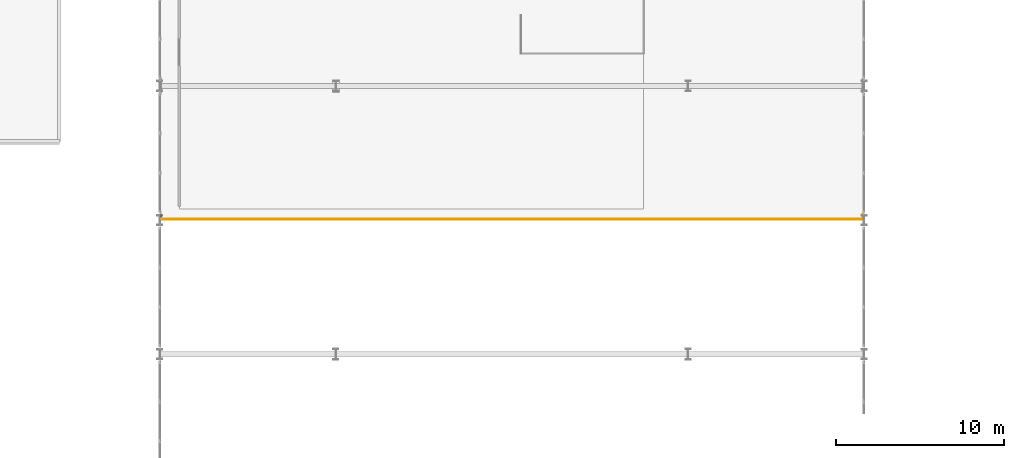
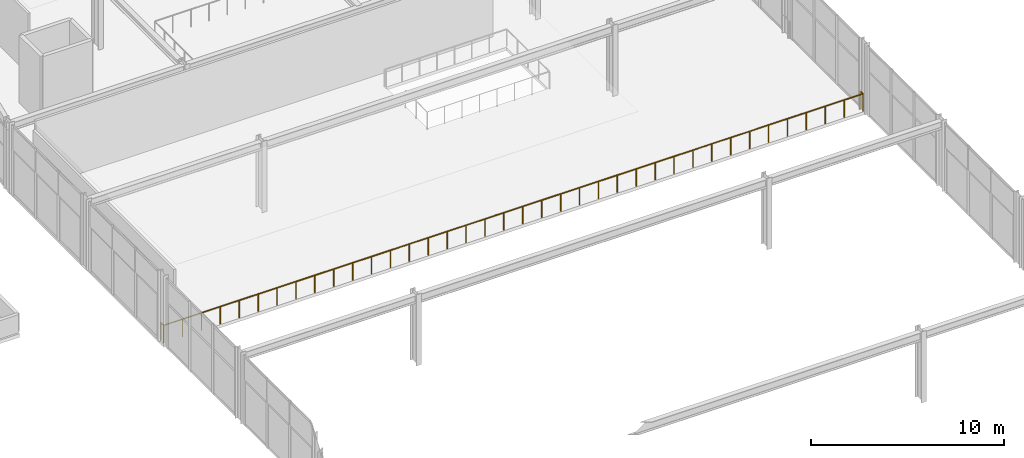
# One storey, part 92 of 105: 2 railings.
"""IFC4 building model written with IfcOpenShell, lengths in metres."""

from ifc_helpers import new_model, si_unit, direction, frame, origin, origin_2d, place, context, subcontext, project, spatial, circle, extrude, material, type_object, element, save


model = new_model("IFC4")

# Units and contexts
model_context = context("Model", 3, precision=1e-05, world=origin(), true_north=direction((0.0, 1.0)))
body_context = subcontext(model_context, "Body", "Model", "MODEL_VIEW")
ifc_project = project(units=[si_unit("LENGTHUNIT", "METRE"), si_unit("AREAUNIT", "SQUARE_METRE"), si_unit("VOLUMEUNIT", "CUBIC_METRE"), si_unit("PLANEANGLEUNIT", "RADIAN"), si_unit("MASSUNIT", "GRAM", prefix="KILO")], contexts=[model_context])

# Site, building, storey
site_placement = place(None, origin())
site = spatial("IfcSite", under=ifc_project, at=site_placement, CompositionType="ELEMENT")
building_placement = place(site_placement, origin())
building = spatial("IfcBuilding", under=site, at=building_placement, Name="Marlcrest Central Station", CompositionType="ELEMENT")
storey_placement = place(building_placement, frame((0.0, 0.0, 15.0)))
storey = spatial("IfcBuildingStorey", under=building, at=storey_placement, Name="L03", CompositionType="ELEMENT", Elevation=15.0)

# Railings
ifc_material = material(Name="Stainless steel and laminated glass concourse balustrade", Category="steel")
railing_type = type_object("IfcRailingType", Name="GR-02", PredefinedType="BALUSTRADE", material=ifc_material)
railing_1_placement = place(storey_placement, frame((87.06005859375, 94.56005859375, 0.0)))
element("IfcRailing", 1, at=railing_1_placement, inside=storey, type_object=railing_type, Name="hr-L03-00451", PredefinedType="BALUSTRADE", context=body_context, shape_type="SweptSolid", body=[
    extrude(circle(Radius=0.02392578125, at=origin_2d()), frame((0.0, 0.0, 1.09619140625), z_axis=(0.0, 1.0, 0.0), x_axis=(-1.0, 0.0, 0.0)), (0.0, 0.0, 1.0), 0.280029296875),
    extrude(circle(Radius=0.02099609375, at=origin_2d()), origin(), (0.0, 0.0, 1.0), 1.072021484375),
    extrude(circle(Radius=0.02099609375, at=origin_2d()), frame((0.0, 0.280029296875, 0.0)), (0.0, 0.0, 1.0), 1.072021484375),
])
railing_2_placement = place(storey_placement, frame((128.93994140625, 94.840087890625, 0.0)))
element("IfcRailing", 2, at=railing_2_placement, inside=storey, type_object=railing_type, Name="hr-L03-00470", PredefinedType="BALUSTRADE", context=body_context, shape_type="SweptSolid", body=[
    extrude(circle(Radius=0.02392578125, at=origin_2d()), frame((0.0, 0.0, 1.09619140625), z_axis=(0.0, -1.0, 0.0), x_axis=(1.0, 0.0, 0.0)), (0.0, 0.0, 1.0), 0.280029296875),
    extrude(circle(Radius=0.02392578125, at=origin_2d()), frame((0.0, -0.280029296875, 1.09619140625), z_axis=(-1.0, 0.0, 0.0), x_axis=(0.0, -1.0, 0.0)), (0.0, 0.0, 1.0), 41.8798828125),
    extrude(circle(Radius=0.02099609375, at=origin_2d()), origin(), (0.0, 0.0, 1.0), 1.072021484375),
    extrude(circle(Radius=0.02099609375, at=origin_2d()), frame((0.0, -0.280029296875, 0.0)), (0.0, 0.0, 1.0), 1.072021484375),
    extrude(circle(Radius=0.02099609375, at=origin_2d()), frame((-1.1318359375, -0.280029296875, 0.0)), (0.0, 0.0, 1.0), 1.072021484375),
    extrude(circle(Radius=0.02099609375, at=origin_2d()), frame((-2.263671875, -0.280029296875, 0.0)), (0.0, 0.0, 1.0), 1.072021484375),
    extrude(circle(Radius=0.02099609375, at=origin_2d()), frame((-3.395751953125, -0.280029296875, 0.0)), (0.0, 0.0, 1.0), 1.072021484375),
    extrude(circle(Radius=0.02099609375, at=origin_2d()), frame((-4.527587890625, -0.280029296875, 0.0)), (0.0, 0.0, 1.0), 1.072021484375),
    extrude(circle(Radius=0.02099609375, at=origin_2d()), frame((-5.659423828125, -0.280029296875, 0.0)), (0.0, 0.0, 1.0), 1.072021484375),
    extrude(circle(Radius=0.02099609375, at=origin_2d()), frame((-6.791259765625, -0.280029296875, 0.0)), (0.0, 0.0, 1.0), 1.072021484375),
    extrude(circle(Radius=0.02099609375, at=origin_2d()), frame((-7.92333984375, -0.280029296875, 0.0)), (0.0, 0.0, 1.0), 1.072021484375),
    extrude(circle(Radius=0.02099609375, at=origin_2d()), frame((-9.05517578125, -0.280029296875, 0.0)), (0.0, 0.0, 1.0), 1.072021484375),
    extrude(circle(Radius=0.02099609375, at=origin_2d()), frame((-10.18701171875, -0.280029296875, 0.0)), (0.0, 0.0, 1.0), 1.072021484375),
    extrude(circle(Radius=0.02099609375, at=origin_2d()), frame((-11.31884765625, -0.280029296875, 0.0)), (0.0, 0.0, 1.0), 1.072021484375),
    extrude(circle(Radius=0.02099609375, at=origin_2d()), frame((-12.45068359375, -0.280029296875, 0.0)), (0.0, 0.0, 1.0), 1.072021484375),
    extrude(circle(Radius=0.02099609375, at=origin_2d()), frame((-13.582763671875, -0.280029296875, 0.0)), (0.0, 0.0, 1.0), 1.072021484375),
    extrude(circle(Radius=0.02099609375, at=origin_2d()), frame((-14.714599609375, -0.280029296875, 0.0)), (0.0, 0.0, 1.0), 1.072021484375),
    extrude(circle(Radius=0.02099609375, at=origin_2d()), frame((-15.846435546875, -0.280029296875, 0.0)), (0.0, 0.0, 1.0), 1.072021484375),
    extrude(circle(Radius=0.02099609375, at=origin_2d()), frame((-16.978271484375, -0.280029296875, 0.0)), (0.0, 0.0, 1.0), 1.072021484375),
    extrude(circle(Radius=0.02099609375, at=origin_2d()), frame((-18.110107421875, -0.280029296875, 0.0)), (0.0, 0.0, 1.0), 1.072021484375),
    extrude(circle(Radius=0.02099609375, at=origin_2d()), frame((-19.2421875, -0.280029296875, 0.0)), (0.0, 0.0, 1.0), 1.072021484375),
    extrude(circle(Radius=0.02099609375, at=origin_2d()), frame((-20.3740234375, -0.280029296875, 0.0)), (0.0, 0.0, 1.0), 1.072021484375),
    extrude(circle(Radius=0.02099609375, at=origin_2d()), frame((-21.505859375, -0.280029296875, 0.0)), (0.0, 0.0, 1.0), 1.072021484375),
    extrude(circle(Radius=0.02099609375, at=origin_2d()), frame((-22.6376953125, -0.280029296875, 0.0)), (0.0, 0.0, 1.0), 1.072021484375),
    extrude(circle(Radius=0.02099609375, at=origin_2d()), frame((-23.769775390625, -0.280029296875, 0.0)), (0.0, 0.0, 1.0), 1.072021484375),
    extrude(circle(Radius=0.02099609375, at=origin_2d()), frame((-24.901611328125, -0.280029296875, 0.0)), (0.0, 0.0, 1.0), 1.072021484375),
    extrude(circle(Radius=0.02099609375, at=origin_2d()), frame((-26.033447265625, -0.280029296875, 0.0)), (0.0, 0.0, 1.0), 1.072021484375),
    extrude(circle(Radius=0.02099609375, at=origin_2d()), frame((-27.165283203125, -0.280029296875, 0.0)), (0.0, 0.0, 1.0), 1.072021484375),
    extrude(circle(Radius=0.02099609375, at=origin_2d()), frame((-28.297119140625, -0.280029296875, 0.0)), (0.0, 0.0, 1.0), 1.072021484375),
    extrude(circle(Radius=0.02099609375, at=origin_2d()), frame((-29.42919921875, -0.280029296875, 0.0)), (0.0, 0.0, 1.0), 1.072021484375),
    extrude(circle(Radius=0.02099609375, at=origin_2d()), frame((-30.56103515625, -0.280029296875, 0.0)), (0.0, 0.0, 1.0), 1.072021484375),
    extrude(circle(Radius=0.02099609375, at=origin_2d()), frame((-31.69287109375, -0.280029296875, 0.0)), (0.0, 0.0, 1.0), 1.072021484375),
    extrude(circle(Radius=0.02099609375, at=origin_2d()), frame((-32.82470703125, -0.280029296875, 0.0)), (0.0, 0.0, 1.0), 1.072021484375),
    extrude(circle(Radius=0.02099609375, at=origin_2d()), frame((-33.95654296875, -0.280029296875, 0.0)), (0.0, 0.0, 1.0), 1.072021484375),
    extrude(circle(Radius=0.02099609375, at=origin_2d()), frame((-35.088623046875, -0.280029296875, 0.0)), (0.0, 0.0, 1.0), 1.072021484375),
    extrude(circle(Radius=0.02099609375, at=origin_2d()), frame((-36.220458984375, -0.280029296875, 0.0)), (0.0, 0.0, 1.0), 1.072021484375),
    extrude(circle(Radius=0.02099609375, at=origin_2d()), frame((-37.352294921875, -0.280029296875, 0.0)), (0.0, 0.0, 1.0), 1.072021484375),
    extrude(circle(Radius=0.02099609375, at=origin_2d()), frame((-38.484130859375, -0.280029296875, 0.0)), (0.0, 0.0, 1.0), 1.072021484375),
    extrude(circle(Radius=0.02099609375, at=origin_2d()), frame((-39.6162109375, -0.280029296875, 0.0)), (0.0, 0.0, 1.0), 1.072021484375),
    extrude(circle(Radius=0.02099609375, at=origin_2d()), frame((-40.748046875, -0.280029296875, 0.0)), (0.0, 0.0, 1.0), 1.072021484375),
    extrude(circle(Radius=0.02099609375, at=origin_2d()), frame((-41.8798828125, -0.280029296875, 0.0)), (0.0, 0.0, 1.0), 1.072021484375),
])

save(model, "model.ifc")
